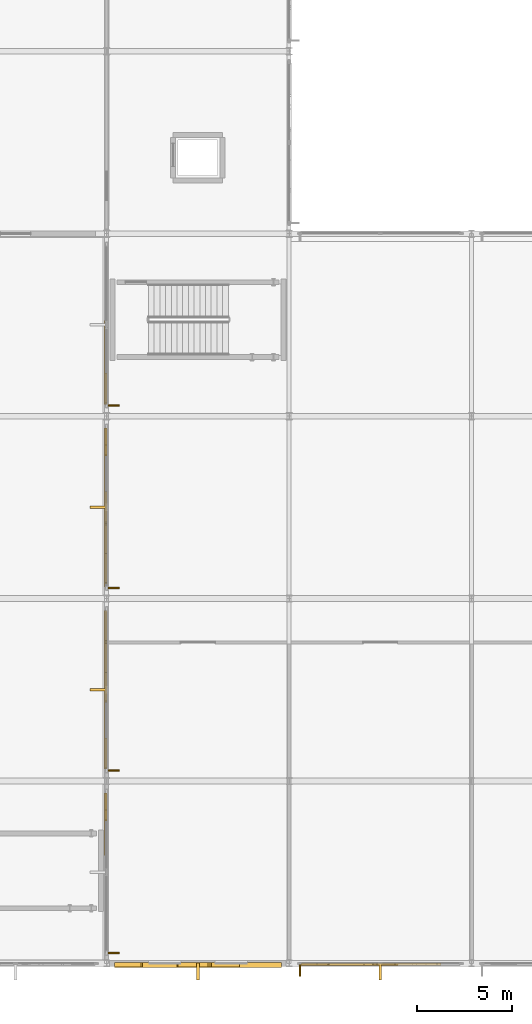
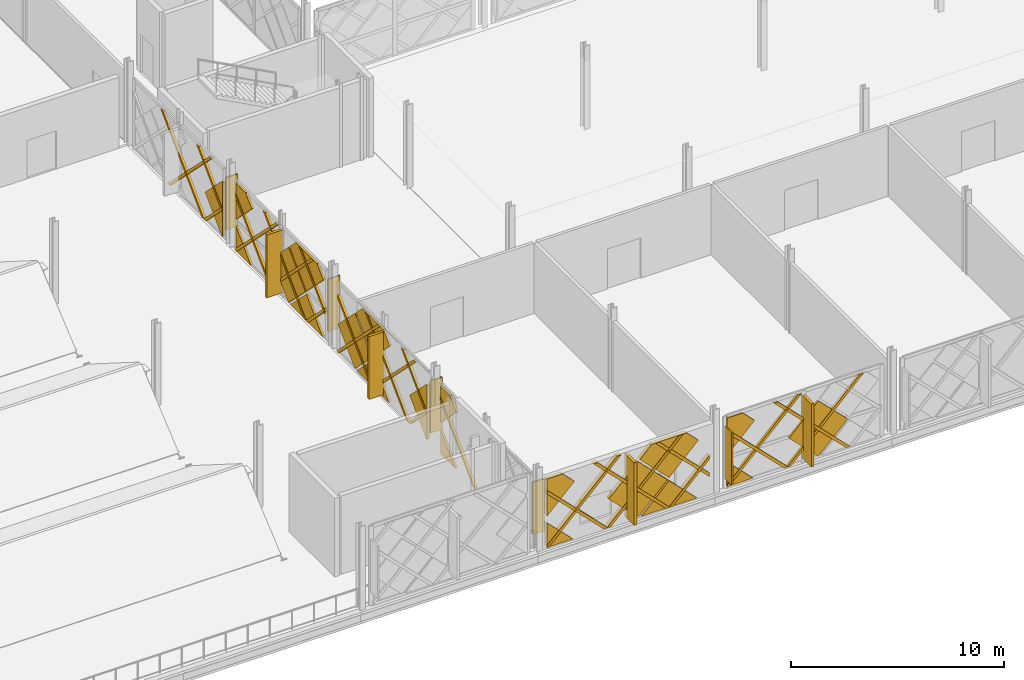
# One storey, part 56 of 77: 51 coverings, 5 shading devices.
"""IFC4 building model written with IfcOpenShell, lengths in metres."""

from ifc_helpers import new_model, si_unit, direction, frame, origin, origin_2d, place, context, subcontext, project, spatial, polyline, rectangle, outline, extrude, material, layer, layer_set, type_object, element, save


model = new_model("IFC4")

# Units and contexts
model_context = context("Model", 3, precision=1e-05, world=origin(), true_north=direction((0.0, 1.0)))
body_context = subcontext(model_context, "Body", "Model", "MODEL_VIEW")
ifc_project = project(units=[si_unit("LENGTHUNIT", "METRE"), si_unit("AREAUNIT", "SQUARE_METRE"), si_unit("VOLUMEUNIT", "CUBIC_METRE"), si_unit("PLANEANGLEUNIT", "RADIAN"), si_unit("MASSUNIT", "GRAM", prefix="KILO")], contexts=[model_context])

# Site, building, storey
site_placement = place(None, origin())
site = spatial("IfcSite", under=ifc_project, at=site_placement, CompositionType="ELEMENT")
building_placement = place(site_placement, origin())
building = spatial("IfcBuilding", under=site, at=building_placement, Name="Zevrakil Square Congress Hotel", CompositionType="ELEMENT")
storey_placement = place(building_placement, frame((0.0, 0.0, 9.89990234375)))
storey = spatial("IfcBuildingStorey", under=building, at=storey_placement, Name="L03", CompositionType="ELEMENT", Elevation=9.89990234375)

# Coverings
ifc_material_1 = material(Name="Architectural White Fibre-C GRC", Category="concrete")
ifc_layer_1 = layer(ifc_material_1, 0.06494140625)
ifc_layer_set_1 = layer_set([ifc_layer_1], Name="Architectural White Fibre-C GRC")
covering_type_1 = type_object("IfcCoveringType", Name="COV-DIA-WHITE", PredefinedType="CLADDING", material=ifc_layer_set_1)
covering_1_placement = place(storey_placement, frame((57.010009765625, 7.02001953125, 0.080078125), z_axis=(0.0, -0.999999760125, 0.000692640526), x_axis=(-1.0, 0.0, 0.0)))
element("IfcCovering", 1, at=covering_1_placement, inside=storey, type_object=covering_type_1, Name="L03 45-degree white GRC diamond facade cassette 84", PredefinedType="CLADDING", context=body_context, shape_type="SweptSolid", body=[
    extrude(outline(polyline([(0.0, 0.0), (1.409912109375, 0.0), (1.409912109375, -1.4099124475784228), (0.0, 0.0)])), origin(), (0.0, 0.0, -1.0), 0.219970703125),
])
covering_2_placement = place(storey_placement, frame((62.219970703125, 7.02099609375, 1.590087890625), z_axis=(0.0, -0.999999790873, 0.000646725815), x_axis=(0.707106707249, -0.000457304257, -0.707106707249)))
element("IfcCovering", 2, at=covering_2_placement, inside=storey, type_object=covering_type_1, Name="L03 45-degree white GRC diamond facade cassette 85", PredefinedType="CLADDING", context=body_context, shape_type="SweptSolid", body=[
    extrude(outline(polyline([(0.0, 0.0), (2.1354765131557993, 0.0), (4.465861884739297e-07, -2.1354765131557527), (0.0, 0.0)])), origin(), (0.0, 0.0, -1.0), 0.219970703125),
])
covering_3_placement = place(storey_placement, frame((60.5400390625, 7.02197265625, 3.27001953125), z_axis=(0.0, -0.999999811377, 0.000614203339), x_axis=(0.707106714488, -0.000434307387, -0.707106714509)))
element("IfcCovering", 3, at=covering_3_placement, inside=storey, type_object=covering_type_1, Name="L03 45-degree white GRC diamond facade cassette 86", PredefinedType="CLADDING", context=body_context, shape_type="SweptSolid", body=[
    extrude(outline(polyline([(0.0, 0.0), (2.2483788053845455, -2.220446049250313e-16), (2.2485518630206376, -2.24855143882716), (-0.00017220931434658304, -2.2485514388922905), (0.0, 0.0)])), origin(), (0.0, 0.0, -1.0), 0.219970703125),
])
covering_4_placement = place(storey_placement, frame((57.090087890625, 7.02197265625, 3.360107421875), z_axis=(-2.6201832e-05, -0.999999757117, 0.000696476053), x_axis=(-0.707106705563, -0.000473955506, -0.70710669797)))
element("IfcCovering", 4, at=covering_4_placement, inside=storey, type_object=covering_type_1, Name="L03 45-degree white GRC diamond facade cassette 87", PredefinedType="CLADDING", context=body_context, shape_type="SweptSolid", body=[
    extrude(outline(polyline([(0.0, 0.0), (2.1071646234335564, 0.0), (0.5974842236581275, -1.5096800770776109), (-2.2652588360649872e-07, -0.9121954995045182), (0.0, 0.0)])), origin(), (0.0, 0.0, -1.0), 0.219970703125),
])
covering_5_placement = place(storey_placement, frame((63.81005859375, 7.02197265625, 3.360107421875), z_axis=(0.0, -0.999999775377, 0.00067025786), x_axis=(-0.707106715065, -0.000473943922, -0.707106688476)))
element("IfcCovering", 5, at=covering_5_placement, inside=storey, type_object=covering_type_1, Name="L03 45-degree white GRC diamond facade cassette 88", PredefinedType="CLADDING", context=body_context, shape_type="SweptSolid", body=[
    extrude(outline(polyline([(0.0, 0.0), (2.2487240705655767, 0.0), (2.2487236500086456, -2.2487240705655376), (1.3365281519513923, -2.248724114233983), (-2.142674725980065e-07, -0.9121954980572293), (0.0, 0.0)])), origin(), (0.0, 0.0, -1.0), 0.219970703125),
])
covering_6_placement = place(storey_placement, frame((66.830078125, 7.10498046875, 0.080078125), z_axis=(0.0, -0.999999760125, 0.000692640526), x_axis=(-1.0, 0.0, 0.0)))
element("IfcCovering", 6, at=covering_6_placement, inside=storey, type_object=covering_type_1, Name="L03 45-degree white GRC diamond facade cassette 107", PredefinedType="CLADDING", context=body_context, shape_type="SweptSolid", body=[
    extrude(outline(polyline([(0.0, 0.0), (1.41015625, 0.0), (1.41015625, -1.4099124475784226), (0.0, 0.0)])), origin(), (0.0, 0.0, -1.0), 0.1201171875),
])
covering_7_placement = place(storey_placement, frame((70.360107421875, 7.10693359375, 3.27001953125), z_axis=(0.0, -0.999999811377, 0.000614203339), x_axis=(0.707106714488, -0.000434307387, -0.707106714509)))
element("IfcCovering", 7, at=covering_7_placement, inside=storey, type_object=covering_type_1, Name="L03 45-degree white GRC diamond facade cassette 109", PredefinedType="CLADDING", context=body_context, shape_type="SweptSolid", body=[
    extrude(outline(polyline([(0.0, 0.0), (2.2483788053845455, -2.220446049250313e-16), (2.2485518630206376, -2.24855143882716), (-0.00017220931434658304, -2.2485514388922905), (0.0, 0.0)])), origin(), (0.0, 0.0, -1.0), 0.1201171875),
])
covering_8_placement = place(storey_placement, frame((66.909912109375, 7.10693359375, 3.360107421875), z_axis=(-6.8463888e-05, -0.999999818345, 0.00059885107), x_axis=(-0.707106740618, -0.000375040409, -0.707106722297)))
element("IfcCovering", 8, at=covering_8_placement, inside=storey, type_object=covering_type_1, Name="L03 45-degree white GRC diamond facade cassette 110", PredefinedType="CLADDING", context=body_context, shape_type="SweptSolid", body=[
    extrude(outline(polyline([(0.0, 0.0), (2.1071645237524566, 0.0), (0.597484308495914, -1.509680043501462), (-1.7130816543087235e-07, -0.9121954979388295), (0.0, 0.0)])), origin(), (0.0, 0.0, -1.0), 0.1201171875),
])
covering_9_placement = place(storey_placement, frame((55.10498046875, 14.77001953125, 0.080078125), z_axis=(-0.999999760125, 0.0, 0.000692640526), x_axis=(0.0, 1.0, 0.0)))
element("IfcCovering", 9, at=covering_9_placement, inside=storey, type_object=covering_type_1, Name="L03 45-degree white GRC diamond facade cassette 544", PredefinedType="CLADDING", context=body_context, shape_type="SweptSolid", body=[
    extrude(outline(polyline([(0.0, 0.0), (1.409912109375, 0.0), (1.409912109375, -1.4099124475784228), (0.0, 0.0)])), origin(), (0.0, 0.0, -1.0), 0.1201171875),
])
covering_10_placement = place(storey_placement, frame((55.10693359375, 14.68994140625, 3.360107421875), z_axis=(-0.999999801694, 8.2598945e-05, 0.000624331486), x_axis=(-0.000383062792, 0.707106741847, -0.707106716767)))
element("IfcCovering", 10, at=covering_10_placement, inside=storey, type_object=covering_type_1, Name="L03 45-degree white GRC diamond facade cassette 547", PredefinedType="CLADDING", context=body_context, shape_type="SweptSolid", body=[
    extrude(outline(polyline([(0.0, 0.0), (2.107164523220555, 0.0), (0.639952145017207, -1.467212216225111), (-1.7237196942021527e-07, -0.8272598319948077), (0.0, 0.0)])), origin(), (0.0, 0.0, -1.0), 0.1201171875),
])
covering_11_placement = place(storey_placement, frame((55.10595703125, 22.52001953125, 1.590087890625), z_axis=(-0.999999790873, 0.0, 0.000646725815), x_axis=(-0.000457304257, -0.707106707249, -0.707106707249)))
element("IfcCovering", 11, at=covering_11_placement, inside=storey, type_object=covering_type_1, Name="L03 45-degree white GRC diamond facade cassette 556", PredefinedType="CLADDING", context=body_context, shape_type="SweptSolid", body=[
    extrude(outline(polyline([(0.0, 0.0), (2.1354765131557993, 0.0), (4.465861884739297e-07, -2.1354765131557527), (0.0, 0.0)])), origin(), (0.0, 0.0, -1.0), 0.1201171875),
])
covering_12_placement = place(storey_placement, frame((55.10693359375, 24.199951171875, 3.27001953125), z_axis=(-0.999999812555, 0.0, 0.000612281941), x_axis=(-0.000432948753, -0.707106714489, -0.707106715341)))
element("IfcCovering", 12, at=covering_12_placement, inside=storey, type_object=covering_type_1, Name="L03 45-degree white GRC diamond facade cassette 557", PredefinedType="CLADDING", context=body_context, shape_type="SweptSolid", body=[
    extrude(outline(polyline([(0.0, 0.0), (2.2483788053823686, 2.220446049250313e-16), (2.2485518630143098, -2.2485514388251864), (0.013983735657622232, -2.2485514362281265), (-0.00017220932723183147, -2.23439549391379), (0.0, 0.0)])), origin(), (0.0, 0.0, -1.0), 0.1201171875),
])
covering_13_placement = place(storey_placement, frame((55.10498046875, 17.47998046875, 0.090087890625), z_axis=(-0.999999810877, 4.3898e-08, 0.000615017515), x_axis=(0.000434914137, 0.707106714509, 0.707106714115)))
element("IfcCovering", 13, at=covering_13_placement, inside=storey, type_object=covering_type_1, Name="L03 45-degree white GRC diamond facade cassette 558", PredefinedType="CLADDING", context=body_context, shape_type="SweptSolid", body=[
    extrude(outline(polyline([(0.0, 0.0), (2.2487240723345248, 0.0), (2.2485518629543146, -2.248551438891992), (2.16378882664394, -2.2487240883742428), (-2.3641429092169375e-11, -0.08493566978779551), (0.0, 0.0)])), origin(), (0.0, 0.0, -1.0), 0.1201171875),
])
covering_14_placement = place(storey_placement, frame((55.10693359375, 20.929931640625, 3.360107421875), z_axis=(-0.99999981942, 0.0, 0.000600965157), x_axis=(-0.000424946558, 0.707106747162, -0.707106687522)))
element("IfcCovering", 14, at=covering_14_placement, inside=storey, type_object=covering_type_1, Name="L03 45-degree white GRC diamond facade cassette 559", PredefinedType="CLADDING", context=body_context, shape_type="SweptSolid", body=[
    extrude(outline(polyline([(0.0, 0.0), (2.2487239684904425, -2.220446049250313e-16), (2.2487237520837646, -2.2487239684904328), (1.4212912945292608, -2.2485514279851415), (-1.726061326645656e-07, -0.8272598240712974), (0.0, 0.0)])), origin(), (0.0, 0.0, -1.0), 0.1201171875),
])
covering_15_placement = place(storey_placement, frame((55.10498046875, 33.969970703125, 0.080078125), z_axis=(-0.999999760125, 0.0, 0.000692640526), x_axis=(0.0, 1.0, 0.0)))
element("IfcCovering", 15, at=covering_15_placement, inside=storey, type_object=covering_type_1, Name="L03 45-degree white GRC diamond facade cassette 567", PredefinedType="CLADDING", context=body_context, shape_type="SweptSolid", body=[
    extrude(outline(polyline([(0.0, 0.0), (1.409912109375, 0.0), (1.409912109375, -1.4099124475784228), (0.0, 0.0)])), origin(), (0.0, 0.0, -1.0), 0.1201171875),
])
covering_16_placement = place(storey_placement, frame((55.10595703125, 28.760009765625, 1.590087890625), z_axis=(-0.999999790873, 0.0, 0.000646725815), x_axis=(-0.000457304257, -0.707106707249, -0.707106707249)))
element("IfcCovering", 16, at=covering_16_placement, inside=storey, type_object=covering_type_1, Name="L03 45-degree white GRC diamond facade cassette 568", PredefinedType="CLADDING", context=body_context, shape_type="SweptSolid", body=[
    extrude(outline(polyline([(0.0, 0.0), (2.1354765131557993, 0.0), (4.465861884739297e-07, -2.1354765131557527), (0.0, 0.0)])), origin(), (0.0, 0.0, -1.0), 0.1201171875),
])
covering_17_placement = place(storey_placement, frame((55.10693359375, 30.43994140625, 3.27001953125), z_axis=(-0.999999811377, 0.0, 0.000614203339), x_axis=(-0.000434307387, -0.707106714488, -0.707106714509)))
element("IfcCovering", 17, at=covering_17_placement, inside=storey, type_object=covering_type_1, Name="L03 45-degree white GRC diamond facade cassette 569", PredefinedType="CLADDING", context=body_context, shape_type="SweptSolid", body=[
    extrude(outline(polyline([(0.0, 0.0), (2.2483788053845455, -2.220446049250313e-16), (2.2485518630206376, -2.24855143882716), (-0.00017220931434658304, -2.2485514388922905), (0.0, 0.0)])), origin(), (0.0, 0.0, -1.0), 0.1201171875),
])
covering_18_placement = place(storey_placement, frame((55.10693359375, 33.889892578125, 3.360107421875), z_axis=(-0.999999801699, 8.2602203e-05, 0.000624323188), x_axis=(-0.000383054621, 0.707106741846, -0.707106716773)))
element("IfcCovering", 18, at=covering_18_placement, inside=storey, type_object=covering_type_1, Name="L03 45-degree white GRC diamond facade cassette 570", PredefinedType="CLADDING", context=body_context, shape_type="SweptSolid", body=[
    extrude(outline(polyline([(0.0, 0.0), (2.1071645232211655, -2.220446049250313e-16), (0.6399521450170214, -1.4672122162251917), (0.00017246111043284218, -0.8274324654944685), (0.0, 0.0)])), origin(), (0.0, 0.0, -1.0), 0.1201171875),
])
covering_19_placement = place(storey_placement, frame((55.10693359375, 27.169921875, 3.360107421875), z_axis=(-0.99999981942, 0.0, 0.000600965157), x_axis=(-0.000424946558, 0.707106747162, -0.707106687522)))
element("IfcCovering", 19, at=covering_19_placement, inside=storey, type_object=covering_type_1, Name="L03 45-degree white GRC diamond facade cassette 571", PredefinedType="CLADDING", context=body_context, shape_type="SweptSolid", body=[
    extrude(outline(polyline([(0.0, 0.0), (2.2487239684904425, -2.220446049250313e-16), (2.2487237520837646, -2.2487239684904328), (1.4212912945292608, -2.2485514279851415), (-1.726061326645656e-07, -0.8272598240712974), (0.0, 0.0)])), origin(), (0.0, 0.0, -1.0), 0.1201171875),
])
covering_20_placement = place(storey_placement, frame((55.10498046875, 36.679931640625, 0.090087890625), z_axis=(-0.999999810879, 4.3911e-08, 0.000615014432), x_axis=(0.000434911966, 0.707106714509, 0.707106714116)))
element("IfcCovering", 20, at=covering_20_placement, inside=storey, type_object=covering_type_1, Name="L03 45-degree white GRC diamond facade cassette 581", PredefinedType="CLADDING", context=body_context, shape_type="SweptSolid", body=[
    extrude(outline(polyline([(0.0, 0.0), (2.2487240723345274, -2.220446049250313e-16), (2.248551862954323, -2.2485514388919943), (2.1639614601190895, -2.2485514548663854), (0.00017263345166069338, -0.0847630362800969), (0.0, 0.0)])), origin(), (0.0, 0.0, -1.0), 0.1201171875),
])
ifc_material_2 = material(Name="Anodised Champagne Aluminium", Category="aluminium")
ifc_layer_2 = layer(ifc_material_2, 0.0849609375)
ifc_layer_set_2 = layer_set([ifc_layer_2], Name="Anodised Champagne Aluminium")
covering_type_2 = type_object("IfcCoveringType", Name="COV-DIAGRID-45", PredefinedType="MOLDING", material=ifc_layer_set_2)
covering_21_placement = place(storey_placement, frame((55.68603515625, 6.9951171875, 0.080078125), z_axis=(0.000168132879, -0.999999907029, 0.000397079777), x_axis=(-0.999999985866, -0.000168132865, 6.6762e-08)))
element("IfcCovering", 21, at=covering_21_placement, inside=storey, type_object=covering_type_2, Name="L03 45-degree aluminium diagrid rib 89", PredefinedType="MOLDING", context=body_context, shape_type="SweptSolid", body=[
    extrude(outline(polyline([(0.0, 0.0), (0.08593749878533079, 1.137373342260413e-24), (0.08593750721209843, -0.12622069317424195), (-3.7128906799085697, -3.925049391178901), (-3.925048880034855, -3.925049391178901), (0.0, 0.0)])), origin(), (0.0, 0.0, -1.0), 0.2451171875),
])
covering_22_placement = place(storey_placement, frame((59.046142578125, 6.9951171875, 0.080078125), z_axis=(0.0, -0.999999843309, 0.000559805846), x_axis=(-1.0, 0.0, 0.0)))
element("IfcCovering", 22, at=covering_22_placement, inside=storey, type_object=covering_type_2, Name="L03 45-degree aluminium diagrid rib 90", PredefinedType="MOLDING", context=body_context, shape_type="SweptSolid", body=[
    extrude(outline(polyline([(0.0, 0.0), (0.212158203125, 0.0), (-3.712646484375, -3.9250494431461194), (-3.925048828125, -3.9250494431461194), (0.0, 0.0)])), origin(), (0.0, 0.0, -1.0), 0.2451171875),
])
covering_23_placement = place(storey_placement, frame((62.406005859375, 6.9951171875, 0.080078125), z_axis=(-0.000313791586, -0.99999960052, 0.000836955941), x_axis=(-0.999999950767, 0.000313791476, -2.6263e-07)))
element("IfcCovering", 23, at=covering_23_placement, inside=storey, type_object=covering_type_2, Name="L03 45-degree aluminium diagrid rib 91", PredefinedType="MOLDING", context=body_context, shape_type="SweptSolid", body=[
    extrude(outline(polyline([(0.0, 0.0), (0.21215819267990413, 0.0), (-1.9938965825396746, -2.20605493650916), (-1.9938966034298669, -1.9938966033571301), (0.0, 0.0)])), origin(), (0.0, 0.0, -1.0), 0.2451171875),
])
covering_24_placement = place(storey_placement, frame((55.60009765625, 6.996826171875, 3.154052734375), z_axis=(0.000287488092, -0.999999586067, 0.000863259418), x_axis=(8.2649e-08, 0.000863259477, 0.999999627391)))
element("IfcCovering", 24, at=covering_24_placement, inside=storey, type_object=covering_type_2, Name="L03 45-degree aluminium diagrid rib 92", PredefinedType="MOLDING", context=body_context, shape_type="SweptSolid", body=[
    extrude(outline(polyline([(0.0, 0.0), (0.212158334829751, 1.3234889800848443e-23), (-3.0739746677062127, -3.2858890617254115), (-3.073974685240951, -3.0737308673677872), (0.0, 0.0)])), origin(), (0.0, 0.0, -1.0), 0.2451171875),
])
covering_25_placement = place(storey_placement, frame((58.10888671875, 6.997314453125, 4.005126953125), z_axis=(0.0, -0.999999843309, 0.000559805846), x_axis=(1.0, 0.0, 0.0)))
element("IfcCovering", 25, at=covering_25_placement, inside=storey, type_object=covering_type_2, Name="L03 45-degree aluminium diagrid rib 93", PredefinedType="MOLDING", context=body_context, shape_type="SweptSolid", body=[
    extrude(outline(polyline([(0.0, 0.0), (0.212158203125, 0.0), (4.13720703125, -3.9250494431461194), (3.925048828125, -3.9250494431461194), (0.0, 0.0)])), origin(), (0.0, 0.0, -1.0), 0.2451171875),
])
covering_26_placement = place(storey_placement, frame((61.468994140625, 6.997314453125, 4.005126953125), z_axis=(0.000294524135, -0.999999590068, 0.00085622338), x_axis=(0.999999956628, 0.000294524027, -2.52178e-07)))
element("IfcCovering", 26, at=covering_26_placement, inside=storey, type_object=covering_type_2, Name="L03 45-degree aluminium diagrid rib 94", PredefinedType="MOLDING", context=body_context, shape_type="SweptSolid", body=[
    extrude(outline(polyline([(0.0, 0.0), (0.21215819392322477, 0.0), (2.9309083302450416, -2.718994398185831), (2.930908311841491, -2.931152732581181), (0.0, 0.0)])), origin(), (0.0, 0.0, -1.0), 0.2451171875),
])
covering_27_placement = place(storey_placement, frame((65.506103515625, 7.080078125, 0.080078125), z_axis=(0.000186702356, -0.9999998852, 0.000441296479), x_axis=(-0.999999982571, -0.000186702338, 8.2391e-08)))
element("IfcCovering", 27, at=covering_27_placement, inside=storey, type_object=covering_type_2, Name="L03 45-degree aluminium diagrid rib 112", PredefinedType="MOLDING", context=body_context, shape_type="SweptSolid", body=[
    extrude(outline(polyline([(0.0, 0.0), (0.08618163912295008, 0.0), (0.08618164952241188, -0.12622069083472615), (-3.712890692715645, -3.9250495233218956), (-3.9250488921429643, -3.9250495233218956), (0.0, 0.0)])), origin(), (0.0, 0.0, -1.0), 0.14501953125),
])
covering_28_placement = place(storey_placement, frame((68.8662109375, 7.080078125, 0.080078125), z_axis=(0.0, -0.999999806554, 0.000622006473), x_axis=(-1.0, 0.0, 0.0)))
element("IfcCovering", 28, at=covering_28_placement, inside=storey, type_object=covering_type_2, Name="L03 45-degree aluminium diagrid rib 113", PredefinedType="MOLDING", context=body_context, shape_type="SweptSolid", body=[
    extrude(outline(polyline([(0.0, 0.0), (0.21240234375, 0.0), (-3.712646484375, -3.9250495874103186), (-3.9248046875, -3.9250495874103186), (0.0, 0.0)])), origin(), (0.0, 0.0, -1.0), 0.14501953125),
])
covering_29_placement = place(storey_placement, frame((65.419921875, 7.081787109375, 3.154052734375), z_axis=(0.000287477056, -0.99999958606, 0.000863270454), x_axis=(8.2643e-08, 0.000863270513, 0.999999627382)))
element("IfcCovering", 29, at=covering_29_placement, inside=storey, type_object=covering_type_2, Name="L03 45-degree aluminium diagrid rib 115", PredefinedType="MOLDING", context=body_context, shape_type="SweptSolid", body=[
    extrude(outline(polyline([(0.0, 0.0), (0.21215833483042407, 1.3234889800848443e-23), (-3.0739746676964605, -3.286133202330571), (-3.073974685229852, -3.0739750079722734), (0.0, 0.0)])), origin(), (0.0, 0.0, -1.0), 0.14501953125),
])
covering_30_placement = place(storey_placement, frame((67.928955078125, 7.08251953125, 4.005126953125), z_axis=(0.0, -0.999999806554, 0.000622006473), x_axis=(1.0, 0.0, 0.0)))
element("IfcCovering", 30, at=covering_30_placement, inside=storey, type_object=covering_type_2, Name="L03 45-degree aluminium diagrid rib 116", PredefinedType="MOLDING", context=body_context, shape_type="SweptSolid", body=[
    extrude(outline(polyline([(0.0, 0.0), (0.212158203125, 0.0), (4.13720703125, -3.9250495874103186), (3.925048828125, -3.9250495874103186), (0.0, 0.0)])), origin(), (0.0, 0.0, -1.0), 0.14501953125),
])
covering_31_placement = place(storey_placement, frame((55.081787109375, 16.179931640625, 3.154052734375), z_axis=(-0.999999586254, -0.000287317256, 0.000863099624), x_axis=(0.000863099684, -8.2646e-08, 0.999999627529)))
element("IfcCovering", 31, at=covering_31_placement, inside=storey, type_object=covering_type_2, Name="L03 45-degree aluminium diagrid rib 552", PredefinedType="MOLDING", context=body_context, shape_type="SweptSolid", body=[
    extrude(outline(polyline([(0.0, 0.0), (0.212158334820002, 0.0), (-3.0739746678474664, -3.286133202189314), (-3.0739746854017027, -3.07373086720635), (0.0, 0.0)])), origin(), (0.0, 0.0, -1.0), 0.14501953125),
])
covering_32_placement = place(storey_placement, frame((55.080078125, 25.69384765625, 0.080078125), z_axis=(-0.999999881569, -0.000189631936, 0.000448220941), x_axis=(-0.000189631917, 0.99999998202, 8.4997e-08)))
element("IfcCovering", 32, at=covering_32_placement, inside=storey, type_object=covering_type_2, Name="L03 45-degree aluminium diagrid rib 560", PredefinedType="MOLDING", context=body_context, shape_type="SweptSolid", body=[
    extrude(outline(polyline([(0.0, 0.0), (0.08618163907544239, 0.0), (0.08618164980382431, -0.12622069044600231), (-3.6528321000275326, -3.8649909404222353), (-3.864990299337899, -3.8649909404222353), (0.0, 0.0)])), origin(), (0.0, 0.0, -1.0), 0.14501953125),
])
covering_33_placement = place(storey_placement, frame((55.080078125, 22.333984375, 0.080078125), z_axis=(-0.999999800495, 0.0, 0.00063167191), x_axis=(0.0, 1.0, 0.0)))
element("IfcCovering", 33, at=covering_33_placement, inside=storey, type_object=covering_type_2, Name="L03 45-degree aluminium diagrid rib 561", PredefinedType="MOLDING", context=body_context, shape_type="SweptSolid", body=[
    extrude(outline(polyline([(0.0, 0.0), (0.212158203125, 0.0), (-3.65283203125, -3.8649910054589514), (-3.864990234375, -3.8649910054589514), (0.0, 0.0)])), origin(), (0.0, 0.0, -1.0), 0.14501953125),
])
covering_34_placement = place(storey_placement, frame((55.080078125, 18.973876953125, 0.080078125), z_axis=(-0.999999913482, -0.000294139249, 0.000294139249), x_axis=(-0.000294139237, 0.999999956741, 8.6518e-08)))
element("IfcCovering", 34, at=covering_34_placement, inside=storey, type_object=covering_type_2, Name="L03 45-degree aluminium diagrid rib 562", PredefinedType="MOLDING", context=body_context, shape_type="SweptSolid", body=[
    extrude(outline(polyline([(0.0, 0.0), (0.2121581939472589, 0.0), (-1.553955145347468, -1.7661134920951609), (-1.5539551637029505, -1.5539552981479028), (0.0, 0.0)])), origin(), (0.0, 0.0, -1.0), 0.14501953125),
])
covering_35_placement = place(storey_placement, frame((55.081787109375, 25.780029296875, 3.154052734375), z_axis=(-0.99999958606, -0.000287477056, 0.000863270454), x_axis=(0.000863270513, -8.2643e-08, 0.999999627382)))
element("IfcCovering", 35, at=covering_35_placement, inside=storey, type_object=covering_type_2, Name="L03 45-degree aluminium diagrid rib 563", PredefinedType="MOLDING", context=body_context, shape_type="SweptSolid", body=[
    extrude(outline(polyline([(0.0, 0.0), (0.21215833483042407, 1.3234889800848443e-23), (-3.0739746676964605, -3.286133202330571), (-3.073974685229852, -3.0739750079722734), (0.0, 0.0)])), origin(), (0.0, 0.0, -1.0), 0.14501953125),
])
covering_36_placement = place(storey_placement, frame((55.08251953125, 23.211181640625, 3.945068359375), z_axis=(-0.999999800495, 0.0, 0.00063167191), x_axis=(0.0, -1.0, 0.0)))
element("IfcCovering", 36, at=covering_36_placement, inside=storey, type_object=covering_type_2, Name="L03 45-degree aluminium diagrid rib 564", PredefinedType="MOLDING", context=body_context, shape_type="SweptSolid", body=[
    extrude(outline(polyline([(0.0, 0.0), (0.21240234375, 0.0), (4.077392578125, -3.864991005458952), (3.864990234375, -3.864991005458952), (0.0, 0.0)])), origin(), (0.0, 0.0, -1.0), 0.14501953125),
])
covering_37_placement = place(storey_placement, frame((55.08251953125, 19.85107421875, 3.945068359375), z_axis=(-0.999999553076, -0.00023356163, 0.000916131605), x_axis=(0.000233561532, -0.999999972724, -2.13973e-07)))
element("IfcCovering", 37, at=covering_37_placement, inside=storey, type_object=covering_type_2, Name="L03 45-degree aluminium diagrid rib 565", PredefinedType="MOLDING", context=body_context, shape_type="SweptSolid", body=[
    extrude(outline(polyline([(0.0, 0.0), (0.21215819733827515, 0.0), (2.4311524100609416, -2.2187504108942058), (2.431152398487491, -2.4311528891747933), (0.0, 0.0)])), origin(), (0.0, 0.0, -1.0), 0.14501953125),
])
covering_38_placement = place(storey_placement, frame((55.080078125, 35.2939453125, 0.080078125), z_axis=(-0.999999881591, -0.000189745714, 0.000448122857), x_axis=(-0.000189745695, 0.999999981998, 8.5029e-08)))
element("IfcCovering", 38, at=covering_38_placement, inside=storey, type_object=covering_type_2, Name="L03 45-degree aluminium diagrid rib 572", PredefinedType="MOLDING", context=body_context, shape_type="SweptSolid", body=[
    extrude(outline(polyline([(0.0, 0.0), (0.08593749845297734, 0.0), (0.08593750918544711, -0.12622069045155077), (-3.6528321001012993, -3.864990940352672), (-3.8649902994070873, -3.864990940352672), (0.0, 0.0)])), origin(), (0.0, 0.0, -1.0), 0.14501953125),
])
covering_39_placement = place(storey_placement, frame((55.080078125, 31.933837890625, 0.080078125), z_axis=(-0.999999800495, 0.0, 0.00063167191), x_axis=(0.0, 1.0, 0.0)))
element("IfcCovering", 39, at=covering_39_placement, inside=storey, type_object=covering_type_2, Name="L03 45-degree aluminium diagrid rib 573", PredefinedType="MOLDING", context=body_context, shape_type="SweptSolid", body=[
    extrude(outline(polyline([(0.0, 0.0), (0.212158203125, 0.0), (-3.65283203125, -3.8649910054589514), (-3.864990234375, -3.8649910054589514), (0.0, 0.0)])), origin(), (0.0, 0.0, -1.0), 0.14501953125),
])
covering_40_placement = place(storey_placement, frame((55.080078125, 28.573974609375, 0.080078125), z_axis=(-0.999999913482, -0.000294139249, 0.000294139249), x_axis=(-0.000294139237, 0.999999956741, 8.6518e-08)))
element("IfcCovering", 40, at=covering_40_placement, inside=storey, type_object=covering_type_2, Name="L03 45-degree aluminium diagrid rib 574", PredefinedType="MOLDING", context=body_context, shape_type="SweptSolid", body=[
    extrude(outline(polyline([(0.0, 0.0), (0.2121581939472589, 0.0), (-1.553955145347468, -1.7661134920951609), (-1.5539551637029505, -1.5539552981479028), (0.0, 0.0)])), origin(), (0.0, 0.0, -1.0), 0.14501953125),
])
covering_41_placement = place(storey_placement, frame((55.081787109375, 35.3798828125, 3.154052734375), z_axis=(-0.999999586067, -0.000287488092, 0.000863259418), x_axis=(0.000863259477, -8.2649e-08, 0.999999627391)))
element("IfcCovering", 41, at=covering_41_placement, inside=storey, type_object=covering_type_2, Name="L03 45-degree aluminium diagrid rib 575", PredefinedType="MOLDING", context=body_context, shape_type="SweptSolid", body=[
    extrude(outline(polyline([(0.0, 0.0), (0.212158334829751, 1.3234889800848443e-23), (-3.0739746677062127, -3.2858890617254115), (-3.073974685240951, -3.0737308673677872), (0.0, 0.0)])), origin(), (0.0, 0.0, -1.0), 0.14501953125),
])
covering_42_placement = place(storey_placement, frame((55.08251953125, 32.81103515625, 3.945068359375), z_axis=(-0.999999800495, 0.0, 0.00063167191), x_axis=(0.0, -1.0, 0.0)))
element("IfcCovering", 42, at=covering_42_placement, inside=storey, type_object=covering_type_2, Name="L03 45-degree aluminium diagrid rib 576", PredefinedType="MOLDING", context=body_context, shape_type="SweptSolid", body=[
    extrude(outline(polyline([(0.0, 0.0), (0.212158203125, 0.0), (4.0771484375, -3.8649910054589514), (3.864990234375, -3.8649910054589514), (0.0, 0.0)])), origin(), (0.0, 0.0, -1.0), 0.14501953125),
])
covering_43_placement = place(storey_placement, frame((55.08251953125, 29.451171875, 3.945068359375), z_axis=(-0.999999553076, -0.00023356163, 0.000916131605), x_axis=(0.000233561532, -0.999999972724, -2.13973e-07)))
element("IfcCovering", 43, at=covering_43_placement, inside=storey, type_object=covering_type_2, Name="L03 45-degree aluminium diagrid rib 577", PredefinedType="MOLDING", context=body_context, shape_type="SweptSolid", body=[
    extrude(outline(polyline([(0.0, 0.0), (0.21215819733827515, 0.0), (2.4311524100609416, -2.2187504108942058), (2.431152398487491, -2.4311528891747933), (0.0, 0.0)])), origin(), (0.0, 0.0, -1.0), 0.14501953125),
])
covering_44_placement = place(storey_placement, frame((55.080078125, 41.533935546875, 0.080078125), z_axis=(-0.999999800495, 0.0, 0.00063167191), x_axis=(0.0, 1.0, 0.0)))
element("IfcCovering", 44, at=covering_44_placement, inside=storey, type_object=covering_type_2, Name="L03 45-degree aluminium diagrid rib 584", PredefinedType="MOLDING", context=body_context, shape_type="SweptSolid", body=[
    extrude(outline(polyline([(0.0, 0.0), (0.212158203125, 0.0), (-3.65283203125, -3.8649910054589514), (-3.864990234375, -3.8649910054589514), (0.0, 0.0)])), origin(), (0.0, 0.0, -1.0), 0.14501953125),
])
covering_45_placement = place(storey_placement, frame((55.080078125, 38.173828125, 0.080078125), z_axis=(-0.999999913469, -0.000294160881, 0.000294160881), x_axis=(-0.000294160868, 0.999999956735, 8.6531e-08)))
element("IfcCovering", 45, at=covering_45_placement, inside=storey, type_object=covering_type_2, Name="L03 45-degree aluminium diagrid rib 585", PredefinedType="MOLDING", context=body_context, shape_type="SweptSolid", body=[
    extrude(outline(polyline([(0.0, 0.0), (0.21215819394590898, 2.8078904387053947e-24), (-1.5537110047217924, -1.7661134921050472), (-1.5537110230799749, -1.5539552981591391), (0.0, 0.0)])), origin(), (0.0, 0.0, -1.0), 0.14501953125),
])
covering_46_placement = place(storey_placement, frame((55.08251953125, 42.4111328125, 3.945068359375), z_axis=(-0.999999800495, 0.0, 0.00063167191), x_axis=(0.0, -1.0, 0.0)))
element("IfcCovering", 46, at=covering_46_placement, inside=storey, type_object=covering_type_2, Name="L03 45-degree aluminium diagrid rib 587", PredefinedType="MOLDING", context=body_context, shape_type="SweptSolid", body=[
    extrude(outline(polyline([(0.0, 0.0), (0.212158203125, 0.0), (4.0771484375, -3.8649910054589514), (3.864990234375, -3.8649910054589514), (0.0, 0.0)])), origin(), (0.0, 0.0, -1.0), 0.14501953125),
])
covering_47_placement = place(storey_placement, frame((55.08251953125, 39.051025390625, 3.945068359375), z_axis=(-0.999999553084, -0.0002335739, 0.000916119349), x_axis=(0.000233573802, -0.999999972722, -2.13982e-07)))
element("IfcCovering", 47, at=covering_47_placement, inside=storey, type_object=covering_type_2, Name="L03 45-degree aluminium diagrid rib 588", PredefinedType="MOLDING", context=body_context, shape_type="SweptSolid", body=[
    extrude(outline(polyline([(0.0, 0.0), (0.21215819733766708, 0.0), (2.4309082694362485, -2.2187504109011655), (2.4309082578615824, -2.431152889181146), (0.0, 0.0)])), origin(), (0.0, 0.0, -1.0), 0.14501953125),
])
ifc_material_3 = material(Name="Architectural White Fibre-C GRC", Category="concrete")
ifc_layer_3 = layer(ifc_material_3, 0.139892578125)
ifc_layer_set_3 = layer_set([ifc_layer_3], Name="Architectural White Fibre-C GRC")
covering_type_3 = type_object("IfcCoveringType", Name="COV-FIN-GRC90", PredefinedType="MOLDING", material=ifc_layer_set_3)
for number, where, z_axis, x_axis, name in (
    (48, (60.0, 6.780029296875, 0.242431640625), (0.0, 0.0, 1.0), (0.0, -1.0, 0.0), "L03 highland sun-breaker GRC fin 95"),
    (49, (69.60009765625, 6.780029296875, 0.242431640625), (0.0, 0.0, 1.0), (0.0, -1.0, 0.0), "L03 highland sun-breaker GRC fin 118"),
    (50, (54.780029296875, 21.60009765625, 0.212646484375), (0.0, 0.0, 1.0), (-1.0, 0.0, 0.0), "L03 highland sun-breaker GRC fin 566"),
    (51, (54.780029296875, 31.199951171875, 0.212646484375), (0.0, 0.0, 1.0), (-1.0, 0.0, 0.0), "L03 highland sun-breaker GRC fin 578"),
):
    element("IfcCovering", number, at=place(storey_placement, frame(where, z_axis=z_axis, x_axis=x_axis)), inside=storey, type_object=covering_type_3, Name=name, PredefinedType="MOLDING", context=body_context, shape_type="SweptSolid", body=[
        extrude(rectangle(XDim=0.89990234375, YDim=0.139892578125, at=origin_2d()), origin(), (0.0, 0.0, 1.0), 3.60009765625),
    ])

# Shading devices
ifc_material_4 = material(Name="Aluminium Anodised Bronze", Category="aluminium")
shading_device_type = type_object("IfcShadingDeviceType", Name="SHD-FIN-65", PredefinedType="USERDEFINED", material=ifc_material_4)
for number, where, z_axis, x_axis, name in (
    (52, (65.360107421875, 6.85498046875, 0.54248046875), (0.0, 0.0, 1.0), (0.0, -1.0, 0.0), "L03 aluminium solar shading fin 7"),
    (53, (55.544921875, 7.760009765625, 0.5126953125), (0.0, 0.0, 1.0), (1.0, 0.0, 0.0), "L03 aluminium solar shading fin 33"),
    (54, (55.544921875, 17.360107421875, 0.5126953125), (0.0, 0.0, 1.0), (1.0, 0.0, 0.0), "L03 aluminium solar shading fin 34"),
    (55, (55.544921875, 26.9599609375, 0.5126953125), (0.0, 0.0, 1.0), (1.0, 0.0, 0.0), "L03 aluminium solar shading fin 35"),
    (56, (55.544921875, 36.56005859375, 0.5126953125), (0.0, 0.0, 1.0), (1.0, 0.0, 0.0), "L03 aluminium solar shading fin 36"),
):
    element("IfcShadingDevice", number, at=place(storey_placement, frame(where, z_axis=z_axis, x_axis=x_axis)), inside=storey, type_object=shading_device_type, Name=name, ObjectType="SOLAR FIN", PredefinedType="USERDEFINED", context=body_context, shape_type="SweptSolid", body=[
        extrude(rectangle(XDim=0.64990234375, YDim=0.080078125, at=origin_2d()), origin(), (0.0, 0.0, 1.0), 3.0),
    ])

save(model, "model.ifc")
